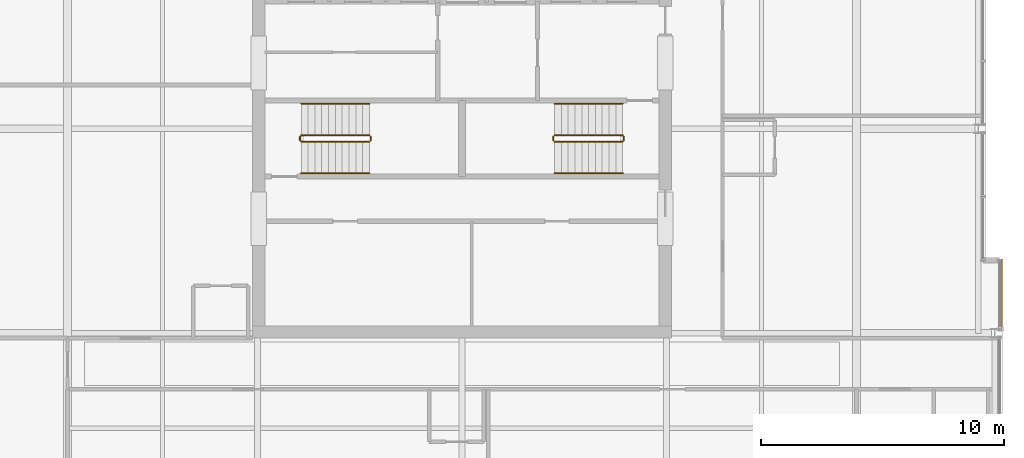
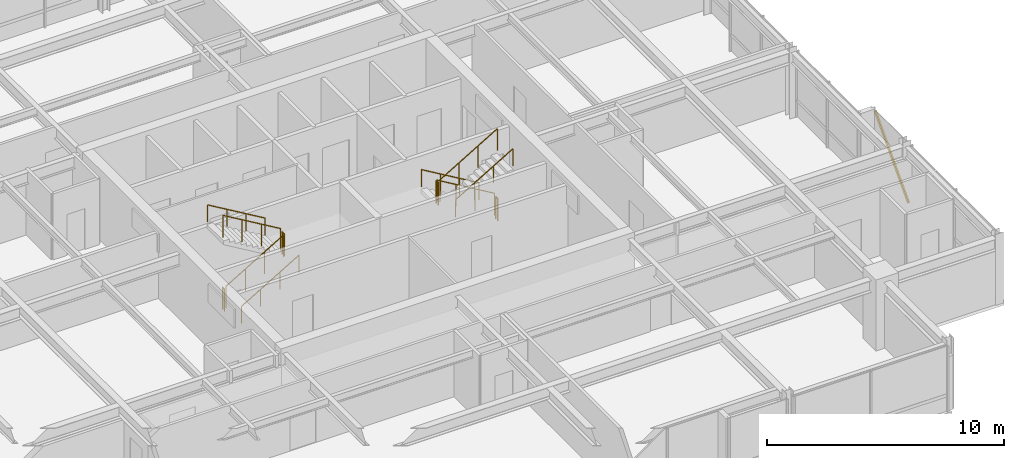
# One storey, part 32 of 33: 12 railings, 1 shading device.
"""IFC4 building model written with IfcOpenShell, lengths in metres."""

from ifc_helpers import new_model, si_unit, direction, frame, origin, origin_2d, place, context, subcontext, project, spatial, hollow_rectangle, circle, extrude, material, material_profile, profile_set, type_object, element, save


model = new_model("IFC4")

# Units and contexts
model_context = context("Model", 3, precision=1e-05, world=origin(), true_north=direction((0.0, 1.0)))
body_context = subcontext(model_context, "Body", "Model", "MODEL_VIEW")
ifc_project = project(units=[si_unit("LENGTHUNIT", "METRE"), si_unit("AREAUNIT", "SQUARE_METRE"), si_unit("VOLUMEUNIT", "CUBIC_METRE"), si_unit("PLANEANGLEUNIT", "RADIAN"), si_unit("MASSUNIT", "GRAM", prefix="KILO")], contexts=[model_context])

# Site, building, storey
site_placement = place(None, origin())
site = spatial("IfcSite", under=ifc_project, at=site_placement, CompositionType="ELEMENT")
building_placement = place(site_placement, origin())
building = spatial("IfcBuilding", under=site, at=building_placement, Name="Drelvath Grand Hotel", CompositionType="ELEMENT")
storey_placement = place(building_placement, frame((0.0, 0.0, 283.25)))
storey = spatial("IfcBuildingStorey", under=building, at=storey_placement, Name="L74", CompositionType="ELEMENT", Elevation=283.25)

# Railings
ifc_material_1 = material(Name="Painted Steel S275", Category="steel")
railing_type_1 = type_object("IfcRailingType", Name="Core Stair Wall Handrail 900", PredefinedType="HANDRAIL", material=ifc_material_1)
railing_1_placement = place(storey_placement, frame((-6.60009765625, 25.169921875, 0.166015625)))
element("IfcRailing", 1, at=railing_1_placement, inside=storey, type_object=railing_type_1, Name="L74 ST-1 stair handrail 1", PredefinedType="HANDRAIL", context=body_context, shape_type="SweptSolid", body=[
    extrude(circle(Radius=0.02392578125, at=origin_2d()), frame((0.0, 0.0, 0.8759765625), z_axis=(0.860339051648, 0.0, 0.50972219513), x_axis=(0.0, 1.0, 0.0)), (0.0, 0.0, 1.0), 3.254638671875),
    extrude(circle(Radius=0.02099609375, at=origin_2d()), origin(), (0.0, 0.0, 1.0), 0.851806640625),
    extrude(circle(Radius=0.02099609375, at=origin_2d()), frame((0.933349609375, 0.0, 0.552978515625)), (0.0, 0.0, 1.0), 0.851806640625),
    extrude(circle(Radius=0.02099609375, at=origin_2d()), frame((1.86669921875, 0.0, 1.10595703125)), (0.0, 0.0, 1.0), 0.851806640625),
    extrude(circle(Radius=0.02099609375, at=origin_2d()), frame((2.800048828125, 0.0, 1.658935546875)), (0.0, 0.0, 1.0), 0.851806640625),
])
for number, where, name in (
    (2, (-3.800048828125, 28.030029296875, 1.990966796875), "L74 ST-1 stair handrail 2"),
    (3, (6.60009765625, 28.030029296875, 0.166015625), "L74 ST-2 stair handrail 1"),
):
    element("IfcRailing", number, at=place(storey_placement, frame(where)), inside=storey, type_object=railing_type_1, Name=name, PredefinedType="HANDRAIL", context=body_context, shape_type="SweptSolid", body=[
        extrude(circle(Radius=0.02392578125, at=origin_2d()), frame((0.0, 0.0, 0.8759765625), z_axis=(-0.860339051648, 0.0, 0.50972219513), x_axis=(0.0, -1.0, 0.0)), (0.0, 0.0, 1.0), 3.254638671875),
        extrude(circle(Radius=0.02099609375, at=origin_2d()), origin(), (0.0, 0.0, 1.0), 0.851806640625),
        extrude(circle(Radius=0.02099609375, at=origin_2d()), frame((-0.933349609375, 0.0, 0.552978515625)), (0.0, 0.0, 1.0), 0.851806640625),
        extrude(circle(Radius=0.02099609375, at=origin_2d()), frame((-1.86669921875, 0.0, 1.10595703125)), (0.0, 0.0, 1.0), 0.851806640625),
        extrude(circle(Radius=0.02099609375, at=origin_2d()), frame((-2.800048828125, 0.0, 1.658935546875)), (0.0, 0.0, 1.0), 0.851806640625),
    ])
railing_2_placement = place(storey_placement, frame((3.800048828125, 25.169921875, 1.990966796875)))
element("IfcRailing", 4, at=railing_2_placement, inside=storey, type_object=railing_type_1, Name="L74 ST-2 stair handrail 2", PredefinedType="HANDRAIL", context=body_context, shape_type="SweptSolid", body=[
    extrude(circle(Radius=0.02392578125, at=origin_2d()), frame((0.0, 0.0, 0.8759765625), z_axis=(0.860339051648, 0.0, 0.50972219513), x_axis=(0.0, 1.0, 0.0)), (0.0, 0.0, 1.0), 3.254638671875),
    extrude(circle(Radius=0.02099609375, at=origin_2d()), origin(), (0.0, 0.0, 1.0), 0.851806640625),
    extrude(circle(Radius=0.02099609375, at=origin_2d()), frame((0.933349609375, 0.0, 0.552978515625)), (0.0, 0.0, 1.0), 0.851806640625),
    extrude(circle(Radius=0.02099609375, at=origin_2d()), frame((1.86669921875, 0.0, 1.10595703125)), (0.0, 0.0, 1.0), 0.851806640625),
    extrude(circle(Radius=0.02099609375, at=origin_2d()), frame((2.800048828125, 0.0, 1.658935546875)), (0.0, 0.0, 1.0), 0.851806640625),
])
railing_type_2 = type_object("IfcRailingType", Name="Core Stair Well Guardrail 1100", PredefinedType="GUARDRAIL", material=ifc_material_1)
railing_3_placement = place(storey_placement, frame((-6.60009765625, 26.469970703125, 0.166015625)))
element("IfcRailing", 5, at=railing_3_placement, inside=storey, type_object=railing_type_2, Name="L74 ST-1 stair guard 1", PredefinedType="GUARDRAIL", context=body_context, shape_type="SweptSolid", body=[
    extrude(circle(Radius=0.02392578125, at=origin_2d()), frame((0.0, 0.0, 1.1259765625), z_axis=(0.860339051648, 0.0, 0.50972219513), x_axis=(0.0, 1.0, 0.0)), (0.0, 0.0, 1.0), 3.254638671875),
    extrude(circle(Radius=0.02099609375, at=origin_2d()), origin(), (0.0, 0.0, 1.0), 1.101806640625),
    extrude(circle(Radius=0.02099609375, at=origin_2d()), frame((0.933349609375, 0.0, 0.552978515625)), (0.0, 0.0, 1.0), 1.101806640625),
    extrude(circle(Radius=0.02099609375, at=origin_2d()), frame((1.86669921875, 0.0, 1.10595703125)), (0.0, 0.0, 1.0), 1.101806640625),
    extrude(circle(Radius=0.02099609375, at=origin_2d()), frame((2.800048828125, 0.0, 1.658935546875)), (0.0, 0.0, 1.0), 1.101806640625),
])
railing_4_placement = place(storey_placement, frame((-3.75, 26.52001953125, 1.824951171875)))
element("IfcRailing", 6, at=railing_4_placement, inside=storey, type_object=railing_type_2, Name="L74 ST-1 stair guard 2", PredefinedType="GUARDRAIL", context=body_context, shape_type="SweptSolid", body=[
    extrude(circle(Radius=0.02392578125, at=origin_2d()), frame((0.0, 0.0, 1.1259765625), z_axis=(0.0, 1.0, 0.0), x_axis=(-1.0, 0.0, 0.0)), (0.0, 0.0, 1.0), 0.159912109375),
    extrude(circle(Radius=0.02099609375, at=origin_2d()), origin(), (0.0, 0.0, 1.0), 1.101806640625),
    extrude(circle(Radius=0.02099609375, at=origin_2d()), frame((0.0, 0.159912109375, 0.0)), (0.0, 0.0, 1.0), 1.101806640625),
])
railing_5_placement = place(storey_placement, frame((-3.800048828125, 26.72998046875, 1.990966796875)))
element("IfcRailing", 7, at=railing_5_placement, inside=storey, type_object=railing_type_2, Name="L74 ST-1 stair guard 3", PredefinedType="GUARDRAIL", context=body_context, shape_type="SweptSolid", body=[
    extrude(circle(Radius=0.02392578125, at=origin_2d()), frame((0.0, 0.0, 1.1259765625), z_axis=(-0.860339051648, 0.0, 0.50972219513), x_axis=(0.0, -1.0, 0.0)), (0.0, 0.0, 1.0), 3.254638671875),
    extrude(circle(Radius=0.02099609375, at=origin_2d()), origin(), (0.0, 0.0, 1.0), 1.101806640625),
    extrude(circle(Radius=0.02099609375, at=origin_2d()), frame((-0.933349609375, 0.0, 0.552978515625)), (0.0, 0.0, 1.0), 1.101806640625),
    extrude(circle(Radius=0.02099609375, at=origin_2d()), frame((-1.86669921875, 0.0, 1.10595703125)), (0.0, 0.0, 1.0), 1.101806640625),
    extrude(circle(Radius=0.02099609375, at=origin_2d()), frame((-2.800048828125, 0.0, 1.658935546875)), (0.0, 0.0, 1.0), 1.101806640625),
])
railing_6_placement = place(storey_placement, frame((-6.64990234375, 26.52001953125, 0.0)))
element("IfcRailing", 8, at=railing_6_placement, inside=storey, type_object=railing_type_2, Name="L74 ST-1 stair guard 4", PredefinedType="GUARDRAIL", context=body_context, shape_type="SweptSolid", body=[
    extrude(circle(Radius=0.02392578125, at=origin_2d()), frame((0.0, 0.0, 1.1259765625), z_axis=(0.0, 1.0, 0.0), x_axis=(-1.0, 0.0, 0.0)), (0.0, 0.0, 1.0), 0.159912109375),
    extrude(circle(Radius=0.02099609375, at=origin_2d()), origin(), (0.0, 0.0, 1.0), 1.101806640625),
    extrude(circle(Radius=0.02099609375, at=origin_2d()), frame((0.0, 0.159912109375, 0.0)), (0.0, 0.0, 1.0), 1.101806640625),
])
railing_7_placement = place(storey_placement, frame((6.60009765625, 26.72998046875, 0.166015625)))
element("IfcRailing", 9, at=railing_7_placement, inside=storey, type_object=railing_type_2, Name="L74 ST-2 stair guard 1", PredefinedType="GUARDRAIL", context=body_context, shape_type="SweptSolid", body=[
    extrude(circle(Radius=0.02392578125, at=origin_2d()), frame((0.0, 0.0, 1.1259765625), z_axis=(-0.860339051648, 0.0, 0.50972219513), x_axis=(0.0, -1.0, 0.0)), (0.0, 0.0, 1.0), 3.254638671875),
    extrude(circle(Radius=0.02099609375, at=origin_2d()), origin(), (0.0, 0.0, 1.0), 1.101806640625),
    extrude(circle(Radius=0.02099609375, at=origin_2d()), frame((-0.933349609375, 0.0, 0.552978515625)), (0.0, 0.0, 1.0), 1.101806640625),
    extrude(circle(Radius=0.02099609375, at=origin_2d()), frame((-1.86669921875, 0.0, 1.10595703125)), (0.0, 0.0, 1.0), 1.101806640625),
    extrude(circle(Radius=0.02099609375, at=origin_2d()), frame((-2.800048828125, 0.0, 1.658935546875)), (0.0, 0.0, 1.0), 1.101806640625),
])
railing_8_placement = place(storey_placement, frame((3.75, 26.679931640625, 1.824951171875)))
element("IfcRailing", 10, at=railing_8_placement, inside=storey, type_object=railing_type_2, Name="L74 ST-2 stair guard 2", PredefinedType="GUARDRAIL", context=body_context, shape_type="SweptSolid", body=[
    extrude(circle(Radius=0.02392578125, at=origin_2d()), frame((0.0, 0.0, 1.1259765625), z_axis=(0.0, -1.0, 0.0), x_axis=(1.0, 0.0, 0.0)), (0.0, 0.0, 1.0), 0.159912109375),
    extrude(circle(Radius=0.02099609375, at=origin_2d()), origin(), (0.0, 0.0, 1.0), 1.101806640625),
    extrude(circle(Radius=0.02099609375, at=origin_2d()), frame((0.0, -0.159912109375, 0.0)), (0.0, 0.0, 1.0), 1.101806640625),
])
railing_9_placement = place(storey_placement, frame((3.800048828125, 26.469970703125, 1.990966796875)))
element("IfcRailing", 11, at=railing_9_placement, inside=storey, type_object=railing_type_2, Name="L74 ST-2 stair guard 3", PredefinedType="GUARDRAIL", context=body_context, shape_type="SweptSolid", body=[
    extrude(circle(Radius=0.02392578125, at=origin_2d()), frame((0.0, 0.0, 1.1259765625), z_axis=(0.860339051648, 0.0, 0.50972219513), x_axis=(0.0, 1.0, 0.0)), (0.0, 0.0, 1.0), 3.254638671875),
    extrude(circle(Radius=0.02099609375, at=origin_2d()), origin(), (0.0, 0.0, 1.0), 1.101806640625),
    extrude(circle(Radius=0.02099609375, at=origin_2d()), frame((0.933349609375, 0.0, 0.552978515625)), (0.0, 0.0, 1.0), 1.101806640625),
    extrude(circle(Radius=0.02099609375, at=origin_2d()), frame((1.86669921875, 0.0, 1.10595703125)), (0.0, 0.0, 1.0), 1.101806640625),
    extrude(circle(Radius=0.02099609375, at=origin_2d()), frame((2.800048828125, 0.0, 1.658935546875)), (0.0, 0.0, 1.0), 1.101806640625),
])
railing_10_placement = place(storey_placement, frame((6.64990234375, 26.679931640625, 0.0)))
element("IfcRailing", 12, at=railing_10_placement, inside=storey, type_object=railing_type_2, Name="L74 ST-2 stair guard 4", PredefinedType="GUARDRAIL", context=body_context, shape_type="SweptSolid", body=[
    extrude(circle(Radius=0.02392578125, at=origin_2d()), frame((0.0, 0.0, 1.1259765625), z_axis=(0.0, -1.0, 0.0), x_axis=(1.0, 0.0, 0.0)), (0.0, 0.0, 1.0), 0.159912109375),
    extrude(circle(Radius=0.02099609375, at=origin_2d()), origin(), (0.0, 0.0, 1.0), 1.101806640625),
    extrude(circle(Radius=0.02099609375, at=origin_2d()), frame((0.0, -0.159912109375, 0.0)), (0.0, 0.0, 1.0), 1.101806640625),
])

# Shading device
ifc_material_2 = material(Name="Platinum-Mist Anodised Aluminium", Category="aluminium")
ifc_material_profile = material_profile(ifc_material_2, hollow_rectangle(XDim=0.06494140625, YDim=0.159912109375, WallThickness=0.00390625, at=origin_2d()), Name="HSS160X65X4")
ifc_profile_set = profile_set([ifc_material_profile], Name="Platinum-Mist Anodised Aluminium")
shading_device_type = type_object("IfcShadingDeviceType", Name="Diagonal Solar Fin Platinum Anodised HSS160X65X4", PredefinedType="USERDEFINED", material=ifc_profile_set)
shading_device_placement = place(storey_placement, frame((22.159912109375, 18.77001953125, 0.179931640625), z_axis=(0.0, 0.682582554051, 0.73080849537), x_axis=(-1.0, 0.0, 0.0)))
element("IfcShadingDevice", 13, at=shading_device_placement, inside=storey, type_object=shading_device_type, Name="L74 Diagonal Anodised Fin CW05-L74-ES2", ObjectType="FIN", PredefinedType="USERDEFINED", context=body_context, shape_type="SweptSolid", body=[
    extrude(hollow_rectangle(XDim=0.06494140625, YDim=0.159912109375, WallThickness=0.00390625, at=origin_2d()), origin(), (0.0, 0.0, 1.0), 4.146240234375),
])

save(model, "model.ifc")
